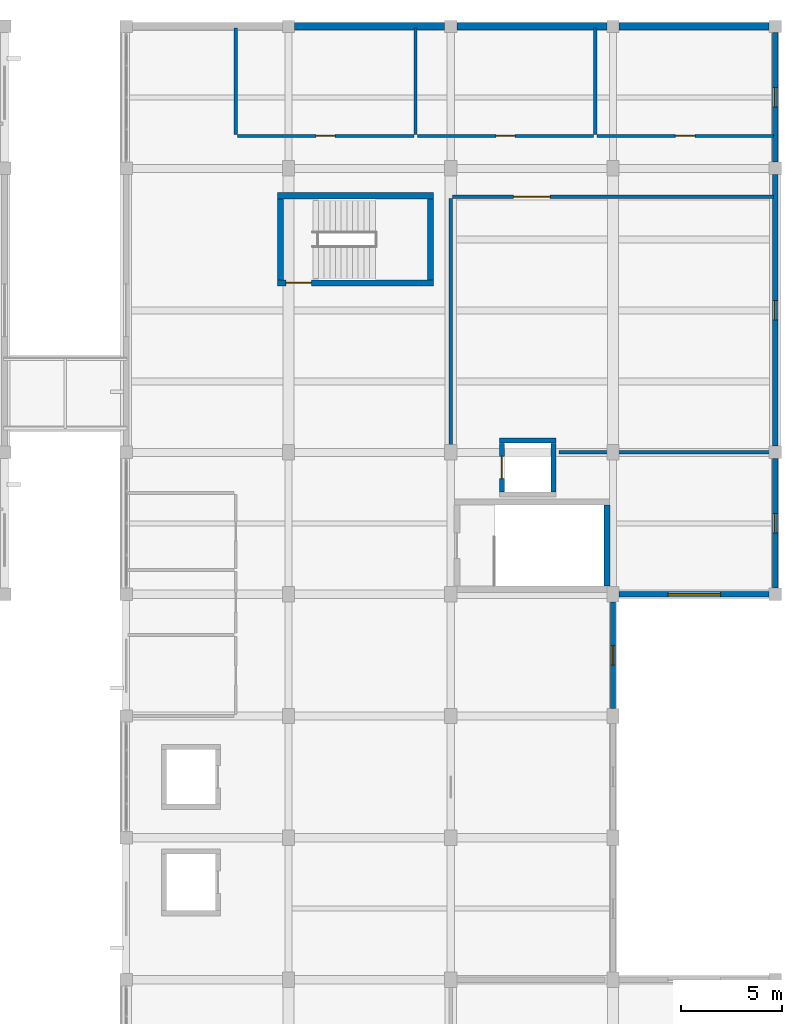
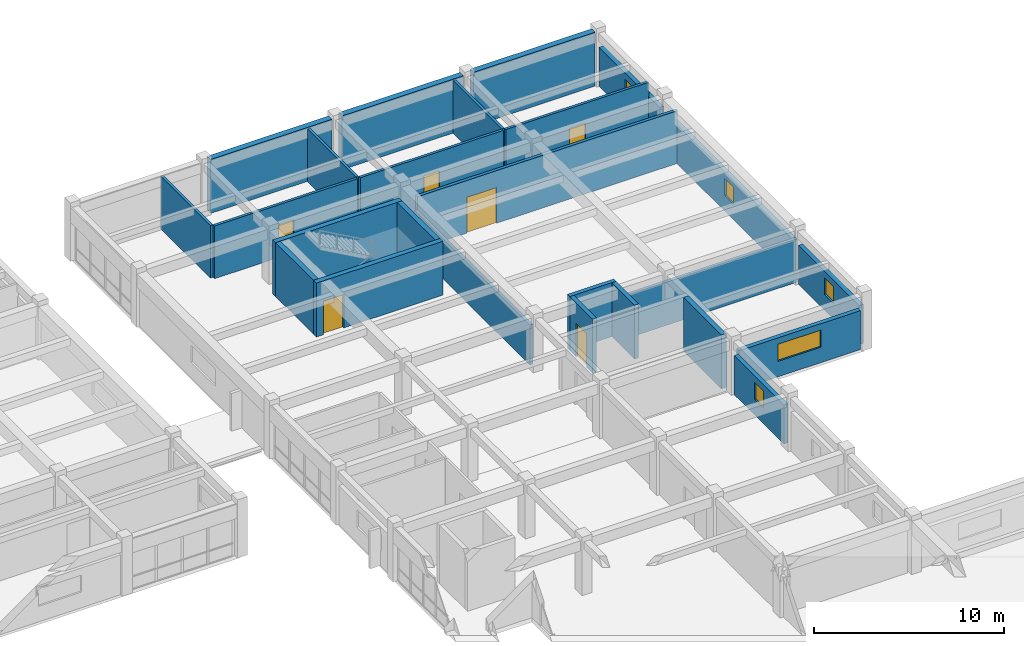
# One storey, part 28 of 33: 25 walls, 6 doors, 5 windows, 11 openings.
"""IFC4 building model written with IfcOpenShell, lengths in metres."""

import ifcopenshell
import ifcopenshell.guid

model = None  # the IFC model being written
_history = None  # IfcOwnerHistory: only IFC2X3 demands one
_inside = {}  # id of a spatial element -> (the spatial element, [elements in it])
_under = {}  # id of a project, library or spatial element -> (it, [spatial elements below it])
_declared = {}  # id of a project -> (the project, [libraries it declares])
_typed = {}  # id of a type object -> (the type object, [elements of that type])
_made_of = {}  # id of a material, layer set ... -> (it, [elements and type objects made of it])


def new_model(schema):
    """Start an empty IFC model of exactly this schema.

    Asked for "IFC4X3", IfcOpenShell would pick the latest addendum, in which some entities
    have other attributes; the version numbers below select the first issue.
    IFC2X3 requires an IfcOwnerHistory on every rooted entity: one is made here for all.
    """
    global model, _history
    if schema == "IFC4X3":
        model = ifcopenshell.file(schema_version=(4, 3, 0, 0))
    else:
        model = ifcopenshell.file(schema=schema)
    _inside.clear()
    _under.clear()
    _declared.clear()
    _typed.clear()
    _made_of.clear()
    _history = None
    if model.schema == "IFC2X3":
        org = make("IfcOrganization", Name="unknown")
        user = make(
            "IfcPersonAndOrganization",
            ThePerson=make("IfcPerson", FamilyName="unknown"),
            TheOrganization=org,
        )
        app = make(
            "IfcApplication",
            ApplicationDeveloper=org,
            Version="unknown",
            ApplicationFullName="unknown",
            ApplicationIdentifier="unknown",
        )
        _history = make(
            "IfcOwnerHistory",
            OwningUser=user,
            OwningApplication=app,
            ChangeAction="ADDED",
            CreationDate=0,
        )
    return model


def make(cls, **values):
    """One entity of the class cls with the attributes given. An attribute that is None is left unset."""
    return model.create_entity(
        cls, **{name: value for name, value in values.items() if value is not None}
    )


def rooted(cls, **values):
    """An entity with a GlobalId (a new one), such as an element, a storey or a relation."""
    return make(cls, GlobalId=ifcopenshell.guid.new(), OwnerHistory=_history, **values)


def si_unit(unit_type, name, prefix=None):
    """IfcSIUnit, for example si_unit("LENGTHUNIT", "METRE", prefix="MILLI")."""
    return make("IfcSIUnit", UnitType=unit_type, Prefix=prefix, Name=name)


def assignment(units):
    """IfcUnitAssignment: the units of a project."""
    return None if units is None else make("IfcUnitAssignment", Units=units)


def point(xyz):
    """IfcCartesianPoint."""
    return None if xyz is None else make("IfcCartesianPoint", Coordinates=xyz)


def direction(xyz):
    """IfcDirection."""
    return None if xyz is None else make("IfcDirection", DirectionRatios=xyz)


def frame(location, z_axis=None, x_axis=None):
    """IfcAxis2Placement3D, a coordinate frame: its origin and axes. An axis left out is left unset."""
    return make(
        "IfcAxis2Placement3D",
        Location=point(location),
        Axis=direction(z_axis),
        RefDirection=direction(x_axis),
    )


def frame_2d(location, x_axis=None):
    """IfcAxis2Placement2D, a coordinate frame in the plane: its origin and x axis."""
    return make(
        "IfcAxis2Placement2D", Location=point(location), RefDirection=direction(x_axis)
    )


def origin():
    """The frame at (0, 0, 0) with its axes left unset."""
    return frame((0.0, 0.0, 0.0))


def place(relative_to, where):
    """IfcLocalPlacement: puts the frame where relative to a parent placement (None: the world)."""
    return make(
        "IfcLocalPlacement", PlacementRelTo=relative_to, RelativePlacement=where
    )


def context(
    kind, dimensions, precision=None, world=None, true_north=None, identifier=None
):
    """IfcGeometricRepresentationContext, for example the 3D "Model" context."""
    return make(
        "IfcGeometricRepresentationContext",
        ContextIdentifier=identifier,
        ContextType=kind,
        CoordinateSpaceDimension=dimensions,
        Precision=precision,
        WorldCoordinateSystem=world,
        TrueNorth=true_north,
    )


def subcontext(parent, identifier, kind, view, scale=None):
    """IfcGeometricRepresentationSubContext, for example "Body" below "Model"."""
    return make(
        "IfcGeometricRepresentationSubContext",
        ContextIdentifier=identifier,
        ContextType=kind,
        ParentContext=parent,
        TargetScale=scale,
        TargetView=view,
    )


def project(units=None, contexts=None):
    """IfcProject with its units and contexts."""
    return rooted(
        "IfcProject",
        Name="project",
        RepresentationContexts=contexts,
        UnitsInContext=assignment(units),
    )


def spatial(cls, under=None, at=None, **own):
    """A site, building, storey or space (cls), placed at a placement, below another one or the project."""
    s = rooted(cls, ObjectPlacement=at, **own)
    if under is not None:
        _under.setdefault(under.id(), (under, []))[1].append(s)
    return s


def profile(cls, at=None, kind="AREA", **sizes):
    """A parametric profile (cls). Its sizes go by their IFC names, for example OverallWidth=200.0."""
    return make(cls, ProfileType=kind, Position=at, **sizes)


def rectangle(**sizes):
    """IfcRectangleProfileDef."""
    return profile("IfcRectangleProfileDef", **sizes)


def extrude(swept, where, along, depth):
    """IfcExtrudedAreaSolid: the profile swept, set in the frame where, extruded along a direction by depth."""
    return make(
        "IfcExtrudedAreaSolid",
        SweptArea=swept,
        Position=where,
        ExtrudedDirection=direction(along),
        Depth=depth,
    )


def shape(context_of_items, identifier, shape_type, items):
    """IfcShapeRepresentation: the items that make up one representation, for example the "Body"."""
    return make(
        "IfcShapeRepresentation",
        ContextOfItems=context_of_items,
        RepresentationIdentifier=identifier,
        RepresentationType=shape_type,
        Items=items,
    )


def material(Name=None, Category=None):
    """IfcMaterial."""
    return make("IfcMaterial", Name=Name, Category=Category)


def layer(
    of_material, thickness, ventilated=None, Name=None, Category=None, Priority=None
):
    """IfcMaterialLayer: one layer of a wall or slab, of a material (None: an air gap)."""
    return make(
        "IfcMaterialLayer",
        Material=of_material,
        LayerThickness=thickness,
        IsVentilated=ventilated,
        Name=Name,
        Category=Category,
        Priority=Priority,
    )


def layer_set(layers, Name=None):
    """IfcMaterialLayerSet."""
    return make("IfcMaterialLayerSet", MaterialLayers=layers, LayerSetName=Name)


def made_of(thing, what):
    """Note that an element or type object is made of a material, layer set ...; save() writes the relation."""
    if what is not None:
        _made_of.setdefault(what.id(), (what, []))[1].append(thing)
    return thing


def type_object(cls, material=None, **own):
    """A type object (cls), such as IfcWallType, which elements share."""
    return made_of(rooted(cls, **own), material)


def element(
    cls,
    number,
    at=None,
    inside=None,
    cuts=None,
    type_object=None,
    material=None,
    context=None,
    identifier="Body",
    shape_type=None,
    held_by="IfcProductDefinitionShape",
    body=None,
    shapes=None,
    **own,
):
    """One element of the class cls, such as IfcWall. Its Tag is "e" and its number.

    at: its placement. inside: the storey or other place that contains it. cuts: it is an
    opening in that element (IfcRelVoidsElement). A single representation is given by context,
    identifier, shape_type and body (its items); several are given by shapes. held_by: the class
    of the entity that holds the representations. save() writes the other relations.
    """
    e = rooted(cls, Tag="e%d" % number, ObjectPlacement=at, **own)
    if body is not None:
        shapes = [shape(context, identifier, shape_type, body)]
    if shapes is not None:
        e.Representation = make(held_by, Representations=shapes)
    if inside is not None:
        _inside.setdefault(inside.id(), (inside, []))[1].append(e)
    if cuts is not None:
        rooted(
            "IfcRelVoidsElement", RelatingBuildingElement=cuts, RelatedOpeningElement=e
        )
    if type_object is not None:
        _typed.setdefault(type_object.id(), (type_object, []))[1].append(e)
    return made_of(e, material)


def fill(opening, filler):
    """IfcRelFillsElement: the door or window that sits in an opening."""
    return rooted(
        "IfcRelFillsElement",
        RelatingOpeningElement=opening,
        RelatedBuildingElement=filler,
    )


def aggregate(whole, parts):
    """IfcRelAggregates: a whole, such as a stair, and the parts it consists of."""
    return rooted("IfcRelAggregates", RelatingObject=whole, RelatedObjects=parts)


def save(model, path):
    """Write the relations noted so far, then the file.

    IfcRelAggregates (storeys below a building ...), IfcRelContainedInSpatialStructure (elements
    in a storey), IfcRelDefinesByType, IfcRelAssociatesMaterial and IfcRelDeclares: one each for
    every whole, place, type object, material and project.
    """
    for whole, parts in _under.values():
        aggregate(whole, parts)
    for where, things in _inside.values():
        rooted(
            "IfcRelContainedInSpatialStructure",
            RelatedElements=things,
            RelatingStructure=where,
        )
    for kind, things in _typed.values():
        rooted("IfcRelDefinesByType", RelatedObjects=things, RelatingType=kind)
    for what, things in _made_of.values():
        rooted("IfcRelAssociatesMaterial", RelatedObjects=things, RelatingMaterial=what)
    for by, libraries in _declared.values():
        rooted("IfcRelDeclares", RelatingContext=by, RelatedDefinitions=libraries)
    model.write(path)


model = new_model("IFC4")

# Units and contexts
model_context = context("Model", 3, precision=1e-05, world=origin(), true_north=direction((0.0, 1.0)))
body_context = subcontext(model_context, "Body", "Model", "MODEL_VIEW")
ifc_project = project(units=[si_unit("LENGTHUNIT", "METRE"), si_unit("AREAUNIT", "SQUARE_METRE"), si_unit("VOLUMEUNIT", "CUBIC_METRE"), si_unit("PLANEANGLEUNIT", "RADIAN"), si_unit("MASSUNIT", "GRAM", prefix="KILO")], contexts=[model_context])

# Site, building, storey
site_placement = place(None, origin())
site = spatial("IfcSite", under=ifc_project, at=site_placement, CompositionType="ELEMENT")
building_placement = place(site_placement, origin())
building = spatial("IfcBuilding", under=site, at=building_placement, Name="Naurynzar Civic Courthouse", CompositionType="ELEMENT")
storey_placement = place(building_placement, frame((0.0, 0.0, 22.050048828125)))
storey = spatial("IfcBuildingStorey", under=building, at=storey_placement, Name="L06", CompositionType="ELEMENT", Elevation=22.050048828125)

# Wall
ifc_material_1 = material(Name="Acoustic Double-Stud Gypsum Partition")
ifc_layer_1 = layer(ifc_material_1, 0.18994140625)
ifc_layer_set_1 = layer_set([ifc_layer_1], Name="WL-ACOUSTIC-190")
wall_type_1 = type_object("IfcWallType", Name="WL-ACOUSTIC-190", PredefinedType="PARTITIONING", material=ifc_layer_set_1)
wall_1_placement = place(storey_placement, frame((151.35009765625, 51.0, 0.0), z_axis=(0.0, 0.0, 1.0), x_axis=(1.0, 0.0, 0.0)))
element("IfcWall", 1, at=wall_1_placement, inside=storey, type_object=wall_type_1, Name="V5 interior partition L06.675", PredefinedType="PARTITIONING", context=body_context, shape_type="SweptSolid", body=[
    extrude(rectangle(XDim=10.56982421875, YDim=0.18994140625, at=frame_2d((5.284912109375, 0.0))), origin(), (0.0, 0.0, 1.0), 2.780029296875),
])

# Wall, opening, door
wall_2_placement = place(storey_placement, frame((146.080078125, 63.60009765625, 0.0), z_axis=(0.0, 0.0, 1.0), x_axis=(1.0, 0.0, 0.0)))
wall_2 = element("IfcWall", 2, at=wall_2_placement, inside=storey, type_object=wall_type_1, Name="V5 interior partition L06.676", PredefinedType="PARTITIONING", context=body_context, shape_type="SweptSolid", body=[
    extrude(rectangle(XDim=15.83984375, YDim=0.18994140625, at=frame_2d((7.919921875, 0.0))), origin(), (0.0, 0.0, 1.0), 3.389892578125),
])
opening_1_placement = place(wall_2_placement, frame((3.02001953125, 0.0, 0.0)))
opening_1 = element("IfcOpeningElement", 3, at=opening_1_placement, cuts=wall_2, Name="Opening D-350", PredefinedType="OPENING", context=body_context, shape_type="SweptSolid", body=[
    extrude(rectangle(XDim=1.800048828125, YDim=2.300048828125, at=frame_2d((0.89990234375, 1.14990234375))), frame((0.0, 0.10498046875, 0.0), z_axis=(0.0, -1.0, 0.0), x_axis=(1.0, 0.0, 0.0)), (0.0, 0.0, 1.0), 0.2099609375),
])
ifc_material_2 = material(Name="Acoustic Oak Timber Grade A", Category="wood")
door_type_1 = type_object("IfcDoorType", Name="DR-COURT-DBL-1800x2300", OperationType="DOUBLE_DOOR_SINGLE_SWING", PredefinedType="DOOR", material=ifc_material_2)
door_1_placement = place(opening_1_placement, origin())
door_1 = element("IfcDoor", 4, at=door_1_placement, inside=storey, type_object=door_type_1, Name="Interior door D-350 (Criminal Courtroom L06-N)", OperationType="DOUBLE_DOOR_SINGLE_SWING", OverallHeight=2.300048828125, OverallWidth=1.800048828125, PredefinedType="DOOR", context=body_context, shape_type="SweptSolid", body=[
    extrude(rectangle(XDim=1.800048828125, YDim=2.300048828125, at=frame_2d((0.89990234375, 1.14990234375))), frame((0.0, 0.02490234375, 0.0), z_axis=(0.0, -1.0, 0.0), x_axis=(1.0, 0.0, 0.0)), (0.0, 0.0, 1.0), 0.050048828125),
])
fill(opening_1, door_1)

# Walls
wall_3_placement = place(storey_placement, frame((146.0, 51.35009765625, 0.0), z_axis=(0.0, 0.0, 1.0), x_axis=(0.0, 1.0, 0.0)))
element("IfcWall", 5, at=wall_3_placement, inside=storey, type_object=wall_type_1, Name="V5 interior partition L06.717", PredefinedType="PARTITIONING", context=body_context, shape_type="SweptSolid", body=[
    extrude(rectangle(XDim=12.169921875, YDim=0.18994140625, at=frame_2d((6.0849609375, 0.0))), origin(), (0.0, 0.0, 1.0), 2.579833984375),
])
ifc_material_3 = material(Name="Concrete C40/50", Category="concrete")
ifc_layer_2 = layer(ifc_material_3, 0.300048828125)
ifc_layer_set_2 = layer_set([ifc_layer_2], Name="WL-CORE-300")
wall_type_2 = type_object("IfcWallType", Name="WL-CORE-300", PredefinedType="SHEAR", material=ifc_layer_set_2)
wall_4_placement = place(storey_placement, frame((145.14990234375, 63.64990234375, 0.0), z_axis=(0.0, 0.0, 1.0), x_axis=(-1.0, 0.0, 0.0)))
element("IfcWall", 6, at=wall_4_placement, inside=storey, type_object=wall_type_2, Name="Stair ST-V5B enclosure wall north L06", PredefinedType="SHEAR", context=body_context, shape_type="SweptSolid", body=[
    extrude(rectangle(XDim=7.699951171875, YDim=0.300048828125, at=frame_2d((3.85009765625, 0.0))), origin(), (0.0, 0.0, 1.0), 3.469970703125),
])

# Wall, opening, door
wall_5_placement = place(storey_placement, frame((137.449951171875, 59.35009765625, 0.0), z_axis=(0.0, 0.0, 1.0), x_axis=(1.0, 0.0, 0.0)))
wall_5 = element("IfcWall", 7, at=wall_5_placement, inside=storey, type_object=wall_type_2, Name="Stair ST-V5B enclosure wall south L06", PredefinedType="SHEAR", context=body_context, shape_type="SweptSolid", body=[
    extrude(rectangle(XDim=7.699951171875, YDim=0.300048828125, at=frame_2d((3.85009765625, 0.0))), origin(), (0.0, 0.0, 1.0), 3.469970703125),
])
opening_2_placement = place(wall_5_placement, frame((0.425048828125, 0.0, 0.0)))
opening_2 = element("IfcOpeningElement", 8, at=opening_2_placement, cuts=wall_5, Name="Opening SD-074", PredefinedType="OPENING", context=body_context, shape_type="SweptSolid", body=[
    extrude(rectangle(XDim=1.25, YDim=2.14990234375, at=frame_2d((0.625, 1.074951171875))), frame((0.0, 0.159912109375, 0.0), z_axis=(0.0, -1.0, 0.0), x_axis=(1.0, 0.0, 0.0)), (0.0, 0.0, 1.0), 0.320068359375),
])
ifc_material_4 = material(Name="Powder-Coated Galvanised Steel", Category="steel")
door_type_2 = type_object("IfcDoorType", Name="DR-STAIR-1250x2150", OperationType="NOTDEFINED", PredefinedType="DOOR", material=ifc_material_4)
door_2_placement = place(opening_2_placement, origin())
door_2 = element("IfcDoor", 9, at=door_2_placement, inside=storey, type_object=door_type_2, Name="Stair ST-V5B fire door L06", OperationType="SINGLE_SWING_RIGHT", OverallHeight=2.14990234375, OverallWidth=1.25, PredefinedType="DOOR", context=body_context, shape_type="SweptSolid", body=[
    extrude(rectangle(XDim=1.25, YDim=2.14990234375, at=frame_2d((0.625, 1.074951171875))), frame((0.0, 0.02490234375, 0.0), z_axis=(0.0, -1.0, 0.0), x_axis=(1.0, 0.0, 0.0)), (0.0, 0.0, 1.0), 0.050048828125),
])
fill(opening_2, door_2)

# Walls
for number, where, z_axis, x_axis, name in (
    (10, (137.60009765625, 63.4951171875, 0.0), (0.0, 0.0, 1.0), (0.0, -1.0, 0.0), "Stair ST-V5B enclosure wall west L06"),
    (11, (145.0, 59.5048828125, 0.0), (0.0, 0.0, 1.0), (0.0, 1.0, 0.0), "Stair ST-V5B enclosure wall east L06"),
):
    element("IfcWall", number, at=place(storey_placement, frame(where, z_axis=z_axis, x_axis=x_axis)), inside=storey, type_object=wall_type_2, Name=name, PredefinedType="SHEAR", context=body_context, shape_type="SweptSolid", body=[
        extrude(rectangle(XDim=3.990234375, YDim=0.300048828125, at=frame_2d((1.9951171875, 0.0))), origin(), (0.0, 0.0, 1.0), 3.469970703125),
    ])
wall_6_placement = place(storey_placement, frame((153.699951171875, 44.405029296875, 0.0), z_axis=(0.0, 0.0, 1.0), x_axis=(0.0, 1.0, 0.0)))
element("IfcWall", 12, at=wall_6_placement, inside=storey, type_object=wall_type_2, Name="Stair ST-CUS enclosure wall east L06", PredefinedType="SHEAR", context=body_context, shape_type="SweptSolid", body=[
    extrude(rectangle(XDim=3.989990234375, YDim=0.300048828125, at=frame_2d((1.9951171875, 0.0))), origin(), (0.0, 0.0, 1.0), 3.469970703125),
])

# Wall, opening, window
ifc_material_5 = material(Name="Precast concrete C40/50", Category="concrete")
ifc_layer_3 = layer(ifc_material_5, 0.260009765625)
ifc_layer_set_3 = layer_set([ifc_layer_3], Name="WL-EXT-260")
wall_type_3 = type_object("IfcWallType", Name="WL-EXT-260", PredefinedType="SOLIDWALL", material=ifc_layer_set_3)
wall_7_placement = place(storey_placement, frame((162.0, 71.699951171875, 0.0), z_axis=(0.0, 0.0, 1.0), x_axis=(0.0, -1.0, 0.0)))
wall_7 = element("IfcWall", 13, at=wall_7_placement, inside=storey, type_object=wall_type_3, Name="V5 exterior wall east_north L06.1.1", PredefinedType="SOLIDWALL", context=body_context, shape_type="SweptSolid", body=[
    extrude(rectangle(XDim=6.39990234375, YDim=0.260009765625, at=frame_2d((3.199951171875, 0.0))), origin(), (0.0, 0.0, 1.0), 2.510009765625),
])
opening_3_placement = place(wall_7_placement, frame((2.72509765625, 0.0, 1.0)))
opening_3 = element("IfcOpeningElement", 14, at=opening_3_placement, cuts=wall_7, Name="Opening WN-16", PredefinedType="OPENING", context=body_context, shape_type="SweptSolid", body=[
    extrude(rectangle(XDim=0.949951171875, YDim=1.10009765625, at=frame_2d((0.47509765625, 0.550048828125))), frame((0.0, 0.139892578125, 0.0), z_axis=(0.0, -1.0, 0.0), x_axis=(1.0, 0.0, 0.0)), (0.0, 0.0, 1.0), 0.280029296875),
])
ifc_material_6 = material(Name="Tempered Laminated Low-E Glass", Category="glass")
window_type_1 = type_object("IfcWindowType", Name="WIN-SEC-950x1100", PartitioningType="SINGLE_PANEL", PredefinedType="WINDOW", material=ifc_material_6)
window_1_placement = place(opening_3_placement, origin())
window_1 = element("IfcWindow", 15, at=window_1_placement, inside=storey, type_object=window_type_1, Name="V5 window 340 L06", OverallHeight=1.10009765625, OverallWidth=0.949951171875, PartitioningType="SINGLE_PANEL", PredefinedType="WINDOW", context=body_context, shape_type="SweptSolid", body=[
    extrude(rectangle(XDim=0.949951171875, YDim=1.10009765625, at=frame_2d((0.47509765625, 0.550048828125))), frame((0.0, 0.030029296875, 0.0), z_axis=(0.0, -1.0, 0.0), x_axis=(1.0, 0.0, 0.0)), (0.0, 0.0, 1.0), 0.06005859375),
])
fill(opening_3, window_1)

wall_8_placement = place(storey_placement, frame((162.0, 64.699951171875, 0.0), z_axis=(0.0, 0.0, 1.0), x_axis=(0.0, -1.0, 0.0)))
wall_8 = element("IfcWall", 16, at=wall_8_placement, inside=storey, type_object=wall_type_3, Name="V5 exterior wall east_north L06.2.1", PredefinedType="SOLIDWALL", context=body_context, shape_type="SweptSolid", body=[
    extrude(rectangle(XDim=13.39990234375, YDim=0.260009765625, at=frame_2d((6.699951171875, 0.0))), origin(), (0.0, 0.0, 1.0), 2.510009765625),
])
opening_4_placement = place(wall_8_placement, frame((6.22509765625, 0.0, 1.0)))
opening_4 = element("IfcOpeningElement", 17, at=opening_4_placement, cuts=wall_8, Name="Opening WN-16", PredefinedType="OPENING", context=body_context, shape_type="SweptSolid", body=[
    extrude(rectangle(XDim=0.949951171875, YDim=1.10009765625, at=frame_2d((0.47509765625, 0.550048828125))), frame((0.0, 0.139892578125, 0.0), z_axis=(0.0, -1.0, 0.0), x_axis=(1.0, 0.0, 0.0)), (0.0, 0.0, 1.0), 0.280029296875),
])
window_2_placement = place(opening_4_placement, origin())
window_2 = element("IfcWindow", 18, at=window_2_placement, inside=storey, type_object=window_type_1, Name="V5 window 341 L06", OverallHeight=1.10009765625, OverallWidth=0.949951171875, PartitioningType="SINGLE_PANEL", PredefinedType="WINDOW", context=body_context, shape_type="SweptSolid", body=[
    extrude(rectangle(XDim=0.949951171875, YDim=1.10009765625, at=frame_2d((0.47509765625, 0.550048828125))), frame((0.0, 0.030029296875, 0.0), z_axis=(0.0, -1.0, 0.0), x_axis=(1.0, 0.0, 0.0)), (0.0, 0.0, 1.0), 0.06005859375),
])
fill(opening_4, window_2)

wall_9_placement = place(storey_placement, frame((162.0, 50.699951171875, 0.0), z_axis=(0.0, 0.0, 1.0), x_axis=(0.0, -1.0, 0.0)))
wall_9 = element("IfcWall", 19, at=wall_9_placement, inside=storey, type_object=wall_type_3, Name="V5 exterior wall east_north L06.3.1", PredefinedType="SOLIDWALL", context=body_context, shape_type="SweptSolid", body=[
    extrude(rectangle(XDim=6.39990234375, YDim=0.260009765625, at=frame_2d((3.199951171875, 0.0))), origin(), (0.0, 0.0, 1.0), 2.510009765625),
])
opening_5_placement = place(wall_9_placement, frame((2.72509765625, 0.0, 1.0)))
opening_5 = element("IfcOpeningElement", 20, at=opening_5_placement, cuts=wall_9, Name="Opening WN-16", PredefinedType="OPENING", context=body_context, shape_type="SweptSolid", body=[
    extrude(rectangle(XDim=0.949951171875, YDim=1.10009765625, at=frame_2d((0.47509765625, 0.550048828125))), frame((0.0, 0.139892578125, 0.0), z_axis=(0.0, -1.0, 0.0), x_axis=(1.0, 0.0, 0.0)), (0.0, 0.0, 1.0), 0.280029296875),
])
window_3_placement = place(opening_5_placement, origin())
window_3 = element("IfcWindow", 21, at=window_3_placement, inside=storey, type_object=window_type_1, Name="V5 window 342 L06", OverallHeight=1.10009765625, OverallWidth=0.949951171875, PartitioningType="SINGLE_PANEL", PredefinedType="WINDOW", context=body_context, shape_type="SweptSolid", body=[
    extrude(rectangle(XDim=0.949951171875, YDim=1.10009765625, at=frame_2d((0.47509765625, 0.550048828125))), frame((0.0, 0.030029296875, 0.0), z_axis=(0.0, -1.0, 0.0), x_axis=(1.0, 0.0, 0.0)), (0.0, 0.0, 1.0), 0.06005859375),
])
fill(opening_5, window_3)

wall_10_placement = place(storey_placement, frame((161.699951171875, 44.0, 0.0), z_axis=(0.0, 0.0, 1.0), x_axis=(-1.0, 0.0, 0.0)))
wall_10 = element("IfcWall", 22, at=wall_10_placement, inside=storey, type_object=wall_type_3, Name="V5 exterior wall notch_n L06.1.1", PredefinedType="SOLIDWALL", context=body_context, shape_type="SweptSolid", body=[
    extrude(rectangle(XDim=7.39990234375, YDim=0.260009765625, at=frame_2d((3.699951171875, 0.0))), origin(), (0.0, 0.0, 1.0), 2.510009765625),
])
opening_6_placement = place(wall_10_placement, frame((2.39990234375, 0.0, 1.0)))
opening_6 = element("IfcOpeningElement", 23, at=opening_6_placement, cuts=wall_10, Name="Opening WN-17", PredefinedType="OPENING", context=body_context, shape_type="SweptSolid", body=[
    extrude(rectangle(XDim=2.60009765625, YDim=1.10009765625, at=frame_2d((1.300048828125, 0.550048828125))), frame((0.0, 0.139892578125, 0.0), z_axis=(0.0, -1.0, 0.0), x_axis=(1.0, 0.0, 0.0)), (0.0, 0.0, 1.0), 0.280029296875),
])
ifc_material_7 = material(Name="Tempered Laminated Low-E Glass", Category="glass")
window_type_2 = type_object("IfcWindowType", Name="WIN-CLER-2600x1100", PartitioningType="DOUBLE_PANEL_VERTICAL", PredefinedType="WINDOW", material=ifc_material_7)
window_4_placement = place(opening_6_placement, origin())
window_4 = element("IfcWindow", 24, at=window_4_placement, inside=storey, type_object=window_type_2, Name="V5 window 343 L06", OverallHeight=1.10009765625, OverallWidth=2.60009765625, PartitioningType="SINGLE_PANEL", PredefinedType="WINDOW", context=body_context, shape_type="SweptSolid", body=[
    extrude(rectangle(XDim=2.60009765625, YDim=1.10009765625, at=frame_2d((1.300048828125, 0.550048828125))), frame((0.0, 0.030029296875, 0.0), z_axis=(0.0, -1.0, 0.0), x_axis=(1.0, 0.0, 0.0)), (0.0, 0.0, 1.0), 0.06005859375),
])
fill(opening_6, window_4)

wall_11_placement = place(storey_placement, frame((154.0, 43.625, 0.0), z_axis=(0.0, 0.0, 1.0), x_axis=(0.0, -1.0, 0.0)))
wall_11 = element("IfcWall", 25, at=wall_11_placement, inside=storey, type_object=wall_type_3, Name="V5 exterior wall notch_w L06.1.1", PredefinedType="SOLIDWALL", context=body_context, shape_type="SweptSolid", body=[
    extrude(rectangle(XDim=5.25, YDim=0.260009765625, at=frame_2d((2.625, 0.0))), origin(), (0.0, 0.0, 1.0), 2.510009765625),
])
opening_7_placement = place(wall_11_placement, frame((2.14990234375, 0.0, 1.0)))
opening_7 = element("IfcOpeningElement", 26, at=opening_7_placement, cuts=wall_11, Name="Opening WN-16", PredefinedType="OPENING", context=body_context, shape_type="SweptSolid", body=[
    extrude(rectangle(XDim=0.949951171875, YDim=1.10009765625, at=frame_2d((0.47509765625, 0.550048828125))), frame((0.0, 0.139892578125, 0.0), z_axis=(0.0, -1.0, 0.0), x_axis=(1.0, 0.0, 0.0)), (0.0, 0.0, 1.0), 0.280029296875),
])
window_5_placement = place(opening_7_placement, origin())
window_5 = element("IfcWindow", 27, at=window_5_placement, inside=storey, type_object=window_type_1, Name="V5 window 344 L06", OverallHeight=1.10009765625, OverallWidth=0.949951171875, PartitioningType="SINGLE_PANEL", PredefinedType="WINDOW", context=body_context, shape_type="SweptSolid", body=[
    extrude(rectangle(XDim=0.949951171875, YDim=1.10009765625, at=frame_2d((0.47509765625, 0.550048828125))), frame((0.0, 0.030029296875, 0.0), z_axis=(0.0, -1.0, 0.0), x_axis=(1.0, 0.0, 0.0)), (0.0, 0.0, 1.0), 0.06005859375),
])
fill(opening_7, window_5)

# Wall, opening, door
ifc_material_8 = material(Name="Insulated Metal-Stud Gypsum Partition")
ifc_layer_4 = layer(ifc_material_8, 0.159912109375)
ifc_layer_set_4 = layer_set([ifc_layer_4], Name="WL-PART-CHAMB-160")
wall_type_4 = type_object("IfcWallType", Name="WL-PART-CHAMB-160", PredefinedType="PARTITIONING", material=ifc_layer_set_4)
wall_12_placement = place(storey_placement, frame((135.47998046875, 66.60009765625, 0.0), z_axis=(0.0, 0.0, 1.0), x_axis=(1.0, 0.0, 0.0)))
wall_12 = element("IfcWall", 28, at=wall_12_placement, inside=storey, type_object=wall_type_4, Name="V5 interior partition L06.681", PredefinedType="PARTITIONING", context=body_context, shape_type="SweptSolid", body=[
    extrude(rectangle(XDim=8.7099609375, YDim=0.159912109375, at=frame_2d((4.35498046875, 0.0))), origin(), (0.0, 0.0, 1.0), 3.389892578125),
])
opening_8_placement = place(wall_12_placement, frame((3.885009765625, 0.0, 0.0)))
opening_8 = element("IfcOpeningElement", 29, at=opening_8_placement, cuts=wall_12, Name="Opening D-351", PredefinedType="OPENING", context=body_context, shape_type="SweptSolid", body=[
    extrude(rectangle(XDim=0.93994140625, YDim=2.10009765625, at=frame_2d((0.469970703125, 1.050048828125))), frame((0.0, 0.08984375, 0.0), z_axis=(0.0, -1.0, 0.0), x_axis=(1.0, 0.0, 0.0)), (0.0, 0.0, 1.0), 0.179931640625),
])
ifc_material_9 = material(Name="Acoustic Oak Timber Grade A", Category="wood")
door_type_3 = type_object("IfcDoorType", Name="DR-SUITE-940x2100", OperationType="NOTDEFINED", PredefinedType="DOOR", material=ifc_material_9)
door_3_placement = place(opening_8_placement, origin())
door_3 = element("IfcDoor", 30, at=door_3_placement, inside=storey, type_object=door_type_3, Name="Interior door D-351 (Judges' Chambers L06-V5-1)", OperationType="SINGLE_SWING_LEFT", OverallHeight=2.10009765625, OverallWidth=0.93994140625, PredefinedType="DOOR", context=body_context, shape_type="SweptSolid", body=[
    extrude(rectangle(XDim=0.93994140625, YDim=2.10009765625, at=frame_2d((0.469970703125, 1.050048828125))), frame((0.0, 0.02490234375, 0.0), z_axis=(0.0, -1.0, 0.0), x_axis=(1.0, 0.0, 0.0)), (0.0, 0.0, 1.0), 0.050048828125),
])
fill(opening_8, door_3)

wall_13_placement = place(storey_placement, frame((144.35009765625, 66.60009765625, 0.0), z_axis=(0.0, 0.0, 1.0), x_axis=(1.0, 0.0, 0.0)))
wall_13 = element("IfcWall", 31, at=wall_13_placement, inside=storey, type_object=wall_type_4, Name="V5 interior partition L06.682", PredefinedType="PARTITIONING", context=body_context, shape_type="SweptSolid", body=[
    extrude(rectangle(XDim=8.699951171875, YDim=0.159912109375, at=frame_2d((4.35009765625, 0.0))), origin(), (0.0, 0.0, 1.0), 3.389892578125),
])
opening_9_placement = place(wall_13_placement, frame((3.8798828125, 0.0, 0.0)))
opening_9 = element("IfcOpeningElement", 32, at=opening_9_placement, cuts=wall_13, Name="Opening D-352", PredefinedType="OPENING", context=body_context, shape_type="SweptSolid", body=[
    extrude(rectangle(XDim=0.93994140625, YDim=2.14990234375, at=frame_2d((0.469970703125, 1.074951171875))), frame((0.0, 0.08984375, 0.0), z_axis=(0.0, -1.0, 0.0), x_axis=(1.0, 0.0, 0.0)), (0.0, 0.0, 1.0), 0.179931640625),
])
ifc_material_10 = material(Name="Acoustic Oak Timber Grade A", Category="wood")
door_type_4 = type_object("IfcDoorType", Name="DR-SUITE-940x2150", OperationType="NOTDEFINED", PredefinedType="DOOR", material=ifc_material_10)
door_4_placement = place(opening_9_placement, origin())
door_4 = element("IfcDoor", 33, at=door_4_placement, inside=storey, type_object=door_type_4, Name="Interior door D-352 (Judges' Chambers L06-V5-2)", OperationType="SINGLE_SWING_RIGHT", OverallHeight=2.14990234375, OverallWidth=0.93994140625, PredefinedType="DOOR", context=body_context, shape_type="SweptSolid", body=[
    extrude(rectangle(XDim=0.93994140625, YDim=2.14990234375, at=frame_2d((0.469970703125, 1.074951171875))), frame((0.0, 0.02490234375, 0.0), z_axis=(0.0, -1.0, 0.0), x_axis=(1.0, 0.0, 0.0)), (0.0, 0.0, 1.0), 0.050048828125),
])
fill(opening_9, door_4)

wall_14_placement = place(storey_placement, frame((153.2099609375, 66.60009765625, 0.0), z_axis=(0.0, 0.0, 1.0), x_axis=(1.0, 0.0, 0.0)))
wall_14 = element("IfcWall", 34, at=wall_14_placement, inside=storey, type_object=wall_type_4, Name="V5 interior partition L06.683", PredefinedType="PARTITIONING", context=body_context, shape_type="SweptSolid", body=[
    extrude(rectangle(XDim=8.7099609375, YDim=0.159912109375, at=frame_2d((4.35498046875, 0.0))), origin(), (0.0, 0.0, 1.0), 3.389892578125),
])
opening_10_placement = place(wall_14_placement, frame((3.864990234375, 0.0, 0.0)))
opening_10 = element("IfcOpeningElement", 35, at=opening_10_placement, cuts=wall_14, Name="Opening D-353", PredefinedType="OPENING", context=body_context, shape_type="SweptSolid", body=[
    extrude(rectangle(XDim=0.97998046875, YDim=2.10009765625, at=frame_2d((0.489990234375, 1.050048828125))), frame((0.0, 0.08984375, 0.0), z_axis=(0.0, -1.0, 0.0), x_axis=(1.0, 0.0, 0.0)), (0.0, 0.0, 1.0), 0.179931640625),
])
ifc_material_11 = material(Name="Acoustic Oak Timber Grade A", Category="wood")
door_type_5 = type_object("IfcDoorType", Name="DR-SUITE-980x2100", OperationType="NOTDEFINED", PredefinedType="DOOR", material=ifc_material_11)
door_5_placement = place(opening_10_placement, origin())
door_5 = element("IfcDoor", 36, at=door_5_placement, inside=storey, type_object=door_type_5, Name="Interior door D-353 (Judges' Chambers L06-V5-3)", OperationType="SINGLE_SWING_LEFT", OverallHeight=2.10009765625, OverallWidth=0.97998046875, PredefinedType="DOOR", context=body_context, shape_type="SweptSolid", body=[
    extrude(rectangle(XDim=0.97998046875, YDim=2.10009765625, at=frame_2d((0.489990234375, 1.050048828125))), frame((0.0, 0.02490234375, 0.0), z_axis=(0.0, -1.0, 0.0), x_axis=(1.0, 0.0, 0.0)), (0.0, 0.0, 1.0), 0.050048828125),
])
fill(opening_10, door_5)

# Walls
for number, where, z_axis, x_axis, name in (
    (37, (135.39990234375, 66.679931640625, 0.0), (0.0, 0.0, 1.0), (0.0, 1.0, 0.0), "V5 interior partition L06.713"),
    (38, (144.27001953125, 66.679931640625, 0.0), (0.0, 0.0, 1.0), (0.0, 1.0, 0.0), "V5 interior partition L06.714"),
    (39, (153.1298828125, 66.679931640625, 0.0), (0.0, 0.0, 1.0), (0.0, 1.0, 0.0), "V5 interior partition L06.718"),
):
    element("IfcWall", number, at=place(storey_placement, frame(where, z_axis=z_axis, x_axis=x_axis)), inside=storey, type_object=wall_type_4, Name=name, PredefinedType="PARTITIONING", context=body_context, shape_type="SweptSolid", body=[
        extrude(rectangle(XDim=5.239990234375, YDim=0.159912109375, at=frame_2d((2.6201171875, 0.0))), origin(), (0.0, 0.0, 1.0), 3.389892578125),
    ])
ifc_material_12 = material(Name="Concrete C40/50", Category="concrete")
ifc_layer_5 = layer(ifc_material_12, 0.360107421875)
ifc_layer_set_5 = layer_set([ifc_layer_5], Name="WL-PARTY-360")
wall_type_5 = type_object("IfcWallType", Name="WL-PARTY-360", PredefinedType="SOLIDWALL", material=ifc_layer_set_5)
for number, where, z_axis, x_axis, name in (
    (40, (138.300048828125, 72.0, 0.0), (0.0, 0.0, 1.0), (1.0, 0.0, 0.0), "V5 solid seismic party wall L06 2"),
    (41, (146.300048828125, 72.0, 0.0), (0.0, 0.0, 1.0), (1.0, 0.0, 0.0), "V5 solid seismic party wall L06 3"),
    (42, (154.300048828125, 72.0, 0.0), (0.0, 0.0, 1.0), (1.0, 0.0, 0.0), "V5 solid seismic party wall L06 4"),
):
    element("IfcWall", number, at=place(storey_placement, frame(where, z_axis=z_axis, x_axis=x_axis)), inside=storey, type_object=wall_type_5, Name=name, PredefinedType="SOLIDWALL", context=body_context, shape_type="SweptSolid", body=[
        extrude(rectangle(XDim=7.39990234375, YDim=0.360107421875, at=frame_2d((3.699951171875, 0.0))), origin(), (0.0, 0.0, 1.0), 3.469970703125),
    ])
ifc_material_13 = material(Name="Concrete C40/50", Category="concrete")
ifc_layer_6 = layer(ifc_material_13, 0.25)
ifc_layer_set_6 = layer_set([ifc_layer_6], Name="WL-SHAFT-250")
wall_type_6 = type_object("IfcWallType", Name="WL-SHAFT-250", PredefinedType="SHEAR", material=ifc_layer_set_6)
wall_15_placement = place(storey_placement, frame((151.199951171875, 51.574951171875, 0.0), z_axis=(0.0, 0.0, 1.0), x_axis=(-1.0, 0.0, 0.0)))
element("IfcWall", 43, at=wall_15_placement, inside=storey, type_object=wall_type_6, Name="Lift LF-CUS shaft wall north L06", PredefinedType="SHEAR", context=body_context, shape_type="SweptSolid", body=[
    extrude(rectangle(XDim=2.800048828125, YDim=0.25, at=frame_2d((1.39990234375, 0.0))), origin(), (0.0, 0.0, 1.0), 3.469970703125),
])

# Wall, opening, door
wall_16_placement = place(storey_placement, frame((148.52490234375, 51.445068359375, 0.0), z_axis=(0.0, 0.0, 1.0), x_axis=(0.0, -1.0, 0.0)))
wall_16 = element("IfcWall", 44, at=wall_16_placement, inside=storey, type_object=wall_type_6, Name="Lift LF-CUS shaft wall west L06", PredefinedType="SHEAR", context=body_context, shape_type="SweptSolid", body=[
    extrude(rectangle(XDim=2.39013671875, YDim=0.25, at=frame_2d((1.195068359375, 0.0))), origin(), (0.0, 0.0, 1.0), 3.469970703125),
])
opening_11_placement = place(wall_16_placement, frame((0.64501953125, 0.0, 0.0)))
opening_11 = element("IfcOpeningElement", 45, at=opening_11_placement, cuts=wall_16, Name="Opening LD-092", PredefinedType="OPENING", context=body_context, shape_type="SweptSolid", body=[
    extrude(rectangle(XDim=1.10009765625, YDim=2.14990234375, at=frame_2d((0.550048828125, 1.074951171875))), frame((0.0, 0.135009765625, 0.0), z_axis=(0.0, -1.0, 0.0), x_axis=(1.0, 0.0, 0.0)), (0.0, 0.0, 1.0), 0.27001953125),
])
ifc_material_14 = material(Name="Brushed Stainless Steel 304", Category="steel")
door_type_6 = type_object("IfcDoorType", Name="DR-LIFT-SLIDE-1100x2150", OperationType="DOUBLE_DOOR_SLIDING", PredefinedType="DOOR", material=ifc_material_14)
door_6_placement = place(opening_11_placement, origin())
door_6 = element("IfcDoor", 46, at=door_6_placement, inside=storey, type_object=door_type_6, Name="Lift LF-CUS sliding landing door L06", OperationType="DOUBLE_DOOR_SLIDING", OverallHeight=2.14990234375, OverallWidth=1.10009765625, PredefinedType="DOOR", context=body_context, shape_type="SweptSolid", body=[
    extrude(rectangle(XDim=1.10009765625, YDim=2.14990234375, at=frame_2d((0.550048828125, 1.074951171875))), frame((0.0, 0.02490234375, 0.0), z_axis=(0.0, -1.0, 0.0), x_axis=(1.0, 0.0, 0.0)), (0.0, 0.0, 1.0), 0.050048828125),
])
fill(opening_11, door_6)

# Wall
wall_17_placement = place(storey_placement, frame((151.074951171875, 49.054931640625, 0.0), z_axis=(0.0, 0.0, 1.0), x_axis=(0.0, 1.0, 0.0)))
element("IfcWall", 47, at=wall_17_placement, inside=storey, type_object=wall_type_6, Name="Lift LF-CUS shaft wall east L06", PredefinedType="SHEAR", context=body_context, shape_type="SweptSolid", body=[
    extrude(rectangle(XDim=2.39013671875, YDim=0.25, at=frame_2d((1.195068359375, 0.0))), origin(), (0.0, 0.0, 1.0), 3.469970703125),
])

save(model, "model.ifc")
